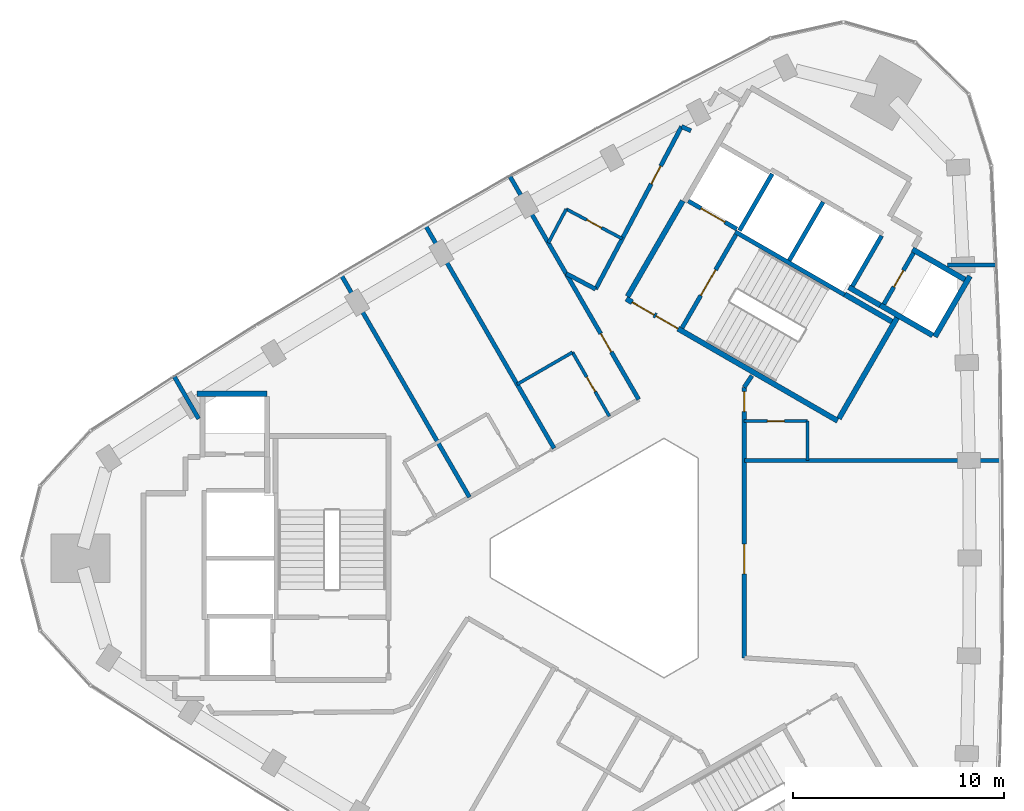
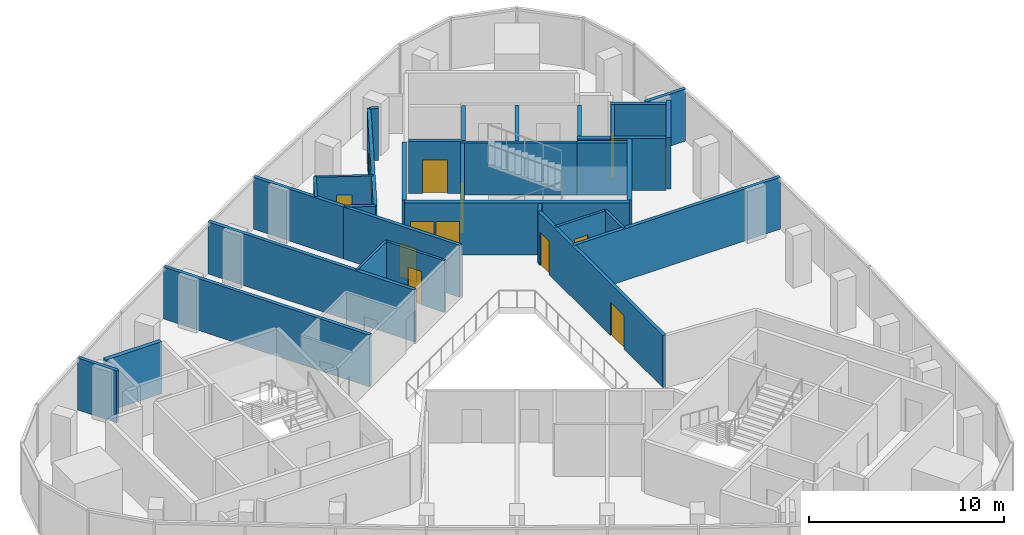
# One storey, part 9 of 11: 34 walls, 12 doors, 12 openings.
"""IFC4 building model written with IfcOpenShell, lengths in metres."""

from ifc_helpers import new_model, si_unit, direction, frame, frame_2d, origin, place, context, subcontext, project, spatial, rectangle, extrude, material, layer, layer_set, type_object, element, fill, save


model = new_model("IFC4")

# Units and contexts
model_context = context("Model", 3, precision=1e-05, world=origin(), true_north=direction((0.0, 1.0)))
body_context = subcontext(model_context, "Body", "Model", "MODEL_VIEW")
ifc_project = project(units=[si_unit("LENGTHUNIT", "METRE"), si_unit("AREAUNIT", "SQUARE_METRE"), si_unit("VOLUMEUNIT", "CUBIC_METRE"), si_unit("PLANEANGLEUNIT", "RADIAN"), si_unit("MASSUNIT", "GRAM", prefix="KILO")], contexts=[model_context])

# Site, building, storey
site_placement = place(None, origin())
site = spatial("IfcSite", under=ifc_project, at=site_placement, CompositionType="ELEMENT")
building_placement = place(site_placement, origin())
building = spatial("IfcBuilding", under=site, at=building_placement, Name="Tamra Quay Hotel Tower", CompositionType="ELEMENT")
storey_placement = place(building_placement, frame((0.0, 0.0, 225.0)))
storey = spatial("IfcBuildingStorey", under=building, at=storey_placement, Name="L56", CompositionType="ELEMENT", Elevation=225.0)

# Wall
ifc_material_1 = material(Name="Concrete M70", Category="concrete")
ifc_layer_1 = layer(ifc_material_1, 0.199951171875)
ifc_layer_set_1 = layer_set([ifc_layer_1], Name="Concrete M70 core wall 200")
wall_type_1 = type_object("IfcWallType", Name="Concrete M70 core wall 200", PredefinedType="SHEAR", material=ifc_layer_set_1)
wall_1_placement = place(storey_placement, frame((10.7431640625, 12.4599609375, 0.0), z_axis=(0.0, 0.0, 1.0), x_axis=(-0.866018848283, 0.500011354289, 0.0)))
element("IfcWall", 1, at=wall_1_placement, inside=storey, type_object=wall_type_1, Name="CW2", PredefinedType="SHEAR", context=body_context, shape_type="SweptSolid", body=[
    extrude(rectangle(XDim=5.973876953125, YDim=0.199951171875, at=frame_2d((2.98681640625, 0.0))), origin(), (0.0, 0.0, 1.0), 3.25),
])

# Wall, opening, door
wall_2_placement = place(storey_placement, frame((3.056640625, 10.89453125, 0.0), z_axis=(0.0, 0.0, 1.0), x_axis=(0.500027839223, 0.866009330205, 0.0)))
wall_2 = element("IfcWall", 2, at=wall_2_placement, inside=storey, type_object=wall_type_1, Name="CW2", PredefinedType="SHEAR", context=body_context, shape_type="SweptSolid", body=[
    extrude(rectangle(XDim=5.097900390625, YDim=0.199951171875, at=frame_2d((2.548828125, 0.0))), origin(), (0.0, 0.0, 1.0), 3.25),
])
opening_1_placement = place(wall_2_placement, frame((1.77392578125, 0.0, 0.0)))
opening_1 = element("IfcOpeningElement", 3, at=opening_1_placement, cuts=wall_2, Name="Opening FD2", PredefinedType="OPENING", context=body_context, shape_type="SweptSolid", body=[
    extrude(rectangle(XDim=1.39990234375, YDim=2.10009765625, at=frame_2d((0.699951171875, 1.050048828125))), frame((0.0, 0.10986328125, 0.0), z_axis=(0.0, -1.0, 0.0), x_axis=(1.0, 0.0, 0.0)), (0.0, 0.0, 1.0), 0.219970703125),
])
ifc_material_2 = material(Name="Core door FD2 1400x2100 RH")
door_type_1 = type_object("IfcDoorType", Name="Core door FD2 1400x2100 RH", OperationType="NOTDEFINED", PredefinedType="DOOR", material=ifc_material_2)
door_1_placement = place(opening_1_placement, origin())
door_1 = element("IfcDoor", 4, at=door_1_placement, inside=storey, type_object=door_type_1, Name="FD2", OperationType="SINGLE_SWING_RIGHT", OverallHeight=2.10009765625, OverallWidth=1.39990234375, PredefinedType="DOOR", context=body_context, shape_type="SweptSolid", body=[
    extrude(rectangle(XDim=1.39990234375, YDim=2.10009765625, at=frame_2d((0.699951171875, 1.050048828125))), frame((0.0, 0.02490234375, 0.0), z_axis=(0.0, -1.0, 0.0), x_axis=(1.0, 0.0, 0.0)), (0.0, 0.0, 1.0), 0.050048828125),
])
fill(opening_1, door_1)

# Wall
wall_3_placement = place(storey_placement, frame((8.131591796875, 14.08447265625, 0.0), z_axis=(0.0, 0.0, 1.0), x_axis=(0.500030834389, 0.86600760081, 0.0)))
element("IfcWall", 5, at=wall_3_placement, inside=storey, type_object=wall_type_1, Name="CW2", PredefinedType="SHEAR", context=body_context, shape_type="SweptSolid", body=[
    extrude(rectangle(XDim=3.197998046875, YDim=0.199951171875, at=frame_2d((1.59912109375, 0.0))), origin(), (0.0, 0.0, 1.0), 3.25),
])

# Wall, opening, door
wall_4_placement = place(storey_placement, frame((14.0078125, 14.442138671875, 0.0), z_axis=(0.0, 0.0, 1.0), x_axis=(-0.499986818241, -0.866033014143, 0.0)))
wall_4 = element("IfcWall", 6, at=wall_4_placement, inside=storey, type_object=wall_type_1, Name="CW2", PredefinedType="SHEAR", context=body_context, shape_type="SweptSolid", body=[
    extrude(rectangle(XDim=2.7978515625, YDim=0.199951171875, at=frame_2d((1.39892578125, 0.0))), origin(), (0.0, 0.0, 1.0), 3.25),
])
opening_2_placement = place(wall_4_placement, frame((0.948974609375, 0.0, 0.0)))
opening_2 = element("IfcOpeningElement", 7, at=opening_2_placement, cuts=wall_4, Name="Opening D1", PredefinedType="OPENING", context=body_context, shape_type="SweptSolid", body=[
    extrude(rectangle(XDim=0.89990234375, YDim=2.10009765625, at=frame_2d((0.449951171875, 1.050048828125))), frame((0.0, 0.10986328125, 0.0), z_axis=(0.0, -1.0, 0.0), x_axis=(1.0, 0.0, 0.0)), (0.0, 0.0, 1.0), 0.219970703125),
])
ifc_material_3 = material(Name="Core door D1 900x2100 LH")
door_type_2 = type_object("IfcDoorType", Name="Core door D1 900x2100 LH", OperationType="NOTDEFINED", PredefinedType="DOOR", material=ifc_material_3)
door_2_placement = place(opening_2_placement, origin())
door_2 = element("IfcDoor", 8, at=door_2_placement, inside=storey, type_object=door_type_2, Name="D1", OperationType="SINGLE_SWING_LEFT", OverallHeight=2.10009765625, OverallWidth=0.89990234375, PredefinedType="DOOR", context=body_context, shape_type="SweptSolid", body=[
    extrude(rectangle(XDim=0.89990234375, YDim=2.10009765625, at=frame_2d((0.449951171875, 1.050048828125))), frame((0.0, 0.02490234375, 0.0), z_axis=(0.0, -1.0, 0.0), x_axis=(1.0, 0.0, 0.0)), (0.0, 0.0, 1.0), 0.050048828125),
])
fill(opening_2, door_2)

# Walls
wall_5_placement = place(storey_placement, frame((12.50244140625, 15.2548828125, 0.0), z_axis=(0.0, 0.0, 1.0), x_axis=(-0.499965018551, -0.866045599391, 0.0)))
element("IfcWall", 9, at=wall_5_placement, inside=storey, type_object=wall_type_1, Name="CW2", PredefinedType="SHEAR", context=body_context, shape_type="SweptSolid", body=[
    extrude(rectangle(XDim=2.759033203125, YDim=0.199951171875, at=frame_2d((1.37939453125, 0.0))), origin(), (0.0, 0.0, 1.0), 3.25),
])
wall_6_placement = place(storey_placement, frame((7.324462890625, 18.1865234375, 0.0), z_axis=(0.0, 0.0, 1.0), x_axis=(-0.499967891604, -0.866043940782, 0.0)))
element("IfcWall", 10, at=wall_6_placement, inside=storey, type_object=wall_type_1, Name="CW2", PredefinedType="SHEAR", context=body_context, shape_type="SweptSolid", body=[
    extrude(rectangle(XDim=3.099853515625, YDim=0.199951171875, at=frame_2d((1.5498046875, 0.0))), origin(), (0.0, 0.0, 1.0), 3.25),
])

# Wall, opening, door
wall_7_placement = place(storey_placement, frame((5.646240234375, 15.575927734375, 0.0), z_axis=(0.0, 0.0, 1.0), x_axis=(-0.866018407898, 0.500012117035, 0.0)))
wall_7 = element("IfcWall", 11, at=wall_7_placement, inside=storey, type_object=wall_type_1, Name="CW2", PredefinedType="SHEAR", context=body_context, shape_type="SweptSolid", body=[
    extrude(rectangle(XDim=2.65087890625, YDim=0.199951171875, at=frame_2d((1.325439453125, 0.0))), origin(), (0.0, 0.0, 1.0), 3.25),
])
opening_3_placement = place(wall_7_placement, frame((0.65185546875, 0.0, 0.0)))
opening_3 = element("IfcOpeningElement", 12, at=opening_3_placement, cuts=wall_7, Name="Opening LD", PredefinedType="OPENING", context=body_context, shape_type="SweptSolid", body=[
    extrude(rectangle(XDim=1.300048828125, YDim=2.10009765625, at=frame_2d((0.64990234375, 1.050048828125))), frame((0.0, 0.10986328125, 0.0), z_axis=(0.0, -1.0, 0.0), x_axis=(1.0, 0.0, 0.0)), (0.0, 0.0, 1.0), 0.219970703125),
])
ifc_material_4 = material(Name="Landing door LD 1300 sliding to right")
door_type_3 = type_object("IfcDoorType", Name="Landing door LD 1300 sliding to right", OperationType="NOTDEFINED", PredefinedType="DOOR", material=ifc_material_4)
door_3_placement = place(opening_3_placement, origin())
door_3 = element("IfcDoor", 13, at=door_3_placement, inside=storey, type_object=door_type_3, Name="LD", OperationType="SLIDING_TO_RIGHT", OverallHeight=2.10009765625, OverallWidth=1.300048828125, PredefinedType="DOOR", context=body_context, shape_type="SweptSolid", body=[
    extrude(rectangle(XDim=1.300048828125, YDim=2.10009765625, at=frame_2d((0.64990234375, 1.050048828125))), frame((0.0, 0.02490234375, 0.0), z_axis=(0.0, -1.0, 0.0), x_axis=(1.0, 0.0, 0.0)), (0.0, 0.0, 1.0), 0.050048828125),
])
fill(opening_3, door_3)

# Wall
ifc_layer_2 = layer(ifc_material_1, 0.25)
ifc_layer_set_2 = layer_set([ifc_layer_2], Name="Concrete M70 core wall 250")
wall_type_2 = type_object("IfcWallType", Name="Concrete M70 core wall 250", PredefinedType="SHEAR", material=ifc_layer_set_2)
wall_8_placement = place(storey_placement, frame((-19.900390625, 7.77490234375, 0.0), z_axis=(0.0, 0.0, 1.0), x_axis=(1.0, 0.0, 0.0)))
element("IfcWall", 14, at=wall_8_placement, inside=storey, type_object=wall_type_2, Name="CW1", PredefinedType="SHEAR", context=body_context, shape_type="SweptSolid", body=[
    extrude(rectangle(XDim=3.31298828125, YDim=0.25, at=frame_2d((1.656494140625, 0.0))), origin(), (0.0, 0.0, 1.0), 3.25),
])

# Wall, openings, doors
wall_9_placement = place(storey_placement, frame((10.419921875, 6.497802734375, 0.0), z_axis=(0.0, 0.0, 1.0), x_axis=(-0.866021906294, 0.500006057782, 0.0)))
wall_9 = element("IfcWall", 15, at=wall_9_placement, inside=storey, type_object=wall_type_2, Name="CW1", PredefinedType="SHEAR", context=body_context, shape_type="SweptSolid", body=[
    extrude(rectangle(XDim=11.550048828125, YDim=0.25, at=frame_2d((5.77490234375, 0.0))), origin(), (0.0, 0.0, 1.0), 3.25),
])
opening_4_placement = place(wall_9_placement, frame((10.02490234375, 0.0, 0.0)))
opening_4 = element("IfcOpeningElement", 16, at=opening_4_placement, cuts=wall_9, Name="Opening FD1", PredefinedType="OPENING", context=body_context, shape_type="SweptSolid", body=[
    extrude(rectangle(XDim=1.199951171875, YDim=2.10009765625, at=frame_2d((0.60009765625, 1.050048828125))), frame((0.0, 0.135009765625, 0.0), z_axis=(0.0, -1.0, 0.0), x_axis=(1.0, 0.0, 0.0)), (0.0, 0.0, 1.0), 0.27001953125),
])
opening_5_placement = place(wall_9_placement, frame((8.724853515625, 0.0, 0.0)))
opening_5 = element("IfcOpeningElement", 17, at=opening_5_placement, cuts=wall_9, Name="Opening FD1", PredefinedType="OPENING", context=body_context, shape_type="SweptSolid", body=[
    extrude(rectangle(XDim=1.199951171875, YDim=2.10009765625, at=frame_2d((0.60009765625, 1.050048828125))), frame((0.0, 0.135009765625, 0.0), z_axis=(0.0, -1.0, 0.0), x_axis=(1.0, 0.0, 0.0)), (0.0, 0.0, 1.0), 0.27001953125),
])
ifc_material_5 = material(Name="Core door FD1 1200x2100 LH")
door_type_4 = type_object("IfcDoorType", Name="Core door FD1 1200x2100 LH", OperationType="NOTDEFINED", PredefinedType="DOOR", material=ifc_material_5)
door_4_placement = place(opening_4_placement, origin())
door_4 = element("IfcDoor", 18, at=door_4_placement, inside=storey, type_object=door_type_4, Name="FD1", OperationType="SINGLE_SWING_LEFT", OverallHeight=2.10009765625, OverallWidth=1.199951171875, PredefinedType="DOOR", context=body_context, shape_type="SweptSolid", body=[
    extrude(rectangle(XDim=1.199951171875, YDim=2.10009765625, at=frame_2d((0.60009765625, 1.050048828125))), frame((0.0, 0.02490234375, 0.0), z_axis=(0.0, -1.0, 0.0), x_axis=(1.0, 0.0, 0.0)), (0.0, 0.0, 1.0), 0.050048828125),
])
fill(opening_4, door_4)
ifc_material_6 = material(Name="Core door FD1 1200x2100 RH")
door_type_5 = type_object("IfcDoorType", Name="Core door FD1 1200x2100 RH", OperationType="NOTDEFINED", PredefinedType="DOOR", material=ifc_material_6)
door_5_placement = place(opening_5_placement, origin())
door_5 = element("IfcDoor", 19, at=door_5_placement, inside=storey, type_object=door_type_5, Name="FD1", OperationType="SINGLE_SWING_RIGHT", OverallHeight=2.10009765625, OverallWidth=1.199951171875, PredefinedType="DOOR", context=body_context, shape_type="SweptSolid", body=[
    extrude(rectangle(XDim=1.199951171875, YDim=2.10009765625, at=frame_2d((0.60009765625, 1.050048828125))), frame((0.0, 0.02490234375, 0.0), z_axis=(0.0, -1.0, 0.0), x_axis=(1.0, 0.0, 0.0)), (0.0, 0.0, 1.0), 0.050048828125),
])
fill(opening_5, door_5)

# Walls
wall_10_placement = place(storey_placement, frame((0.47998046875, 12.38134765625, 0.0), z_axis=(0.0, 0.0, 1.0), x_axis=(0.49999885962, 0.866026062182, 0.0)))
element("IfcWall", 20, at=wall_10_placement, inside=storey, type_object=wall_type_2, Name="CW1", PredefinedType="SHEAR", context=body_context, shape_type="SweptSolid", body=[
    extrude(rectangle(XDim=5.224609375, YDim=0.25, at=frame_2d((2.6123046875, 0.0))), origin(), (0.0, 0.0, 1.0), 3.25),
])
wall_11_placement = place(storey_placement, frame((13.237548828125, 11.3779296875, 0.0), z_axis=(0.0, 0.0, 1.0), x_axis=(-0.500008851346, -0.866020293397, 0.0)))
element("IfcWall", 21, at=wall_11_placement, inside=storey, type_object=wall_type_2, Name="CW1", PredefinedType="SHEAR", context=body_context, shape_type="SweptSolid", body=[
    extrude(rectangle(XDim=5.509765625, YDim=0.25, at=frame_2d((2.7548828125, 0.0))), origin(), (0.0, 0.0, 1.0), 3.25),
])
wall_12_placement = place(storey_placement, frame((16.68359375, 13.3466796875, 0.0), z_axis=(0.0, 0.0, 1.0), x_axis=(-0.499998874531, -0.866026053573, 0.0)))
element("IfcWall", 22, at=wall_12_placement, inside=storey, type_object=wall_type_2, Name="CW1", PredefinedType="SHEAR", context=body_context, shape_type="SweptSolid", body=[
    extrude(rectangle(XDim=3.31298828125, YDim=0.25, at=frame_2d((1.656494140625, 0.0))), origin(), (0.0, 0.0, 1.0), 3.25),
])
wall_13_placement = place(storey_placement, frame((14.91845703125, 10.540283203125, 0.0), z_axis=(0.0, 0.0, 1.0), x_axis=(-0.866063538972, 0.499933942099, 0.0)))
element("IfcWall", 23, at=wall_13_placement, inside=storey, type_object=wall_type_2, Name="CW1", PredefinedType="SHEAR", context=body_context, shape_type="SweptSolid", body=[
    extrude(rectangle(XDim=2.86474609375, YDim=0.25, at=frame_2d((1.432373046875, 0.0))), origin(), (0.0, 0.0, 1.0), 3.25),
])
wall_14_placement = place(storey_placement, frame((13.962646484375, 14.61376953125, 0.0), z_axis=(0.0, 0.0, 1.0), x_axis=(0.866042235819, -0.499970844928, 0.0)))
element("IfcWall", 24, at=wall_14_placement, inside=storey, type_object=wall_type_2, Name="CW1", PredefinedType="SHEAR", context=body_context, shape_type="SweptSolid", body=[
    extrude(rectangle(XDim=2.864501953125, YDim=0.25, at=frame_2d((1.43212890625, 0.0))), origin(), (0.0, 0.0, 1.0), 3.25),
])
wall_15_placement = place(storey_placement, frame((10.756591796875, 12.481201171875, 0.0), z_axis=(0.0, 0.0, 1.0), x_axis=(0.866022940537, -0.500004266446, 0.0)))
element("IfcWall", 25, at=wall_15_placement, inside=storey, type_object=wall_type_2, Name="CW1", PredefinedType="SHEAR", context=body_context, shape_type="SweptSolid", body=[
    extrude(rectangle(XDim=2.57470703125, YDim=0.25, at=frame_2d((1.287353515625, 0.0))), origin(), (0.0, 0.0, 1.0), 3.25),
])
wall_16_placement = place(storey_placement, frame((12.4326171875, 11.9638671875, 0.0), z_axis=(0.0, 0.0, 1.0), x_axis=(-0.866038183914, 0.499977863513, 0.0)))
element("IfcWall", 26, at=wall_16_placement, inside=storey, type_object=wall_type_2, Name="CW1", PredefinedType="SHEAR", context=body_context, shape_type="SweptSolid", body=[
    extrude(rectangle(XDim=1.7099609375, YDim=0.25, at=frame_2d((0.85498046875, 0.0))), origin(), (0.0, 0.0, 1.0), 3.25),
])

# Wall, opening, door
ifc_material_7 = material(Name="Partition corridor wall")
ifc_layer_3 = layer(ifc_material_7, 0.199951171875)
ifc_layer_set_3 = layer_set([ifc_layer_3], Name="Partition corridor wall")
wall_type_3 = type_object("IfcWallType", Name="Partition corridor wall", PredefinedType="PARTITIONING", material=ifc_layer_set_3)
wall_17_placement = place(storey_placement, frame((-2.429931640625, 13.458984375, 0.0), z_axis=(0.0, 0.0, 1.0), x_axis=(0.499957265187, -0.866050075334, 0.0)))
wall_17 = element("IfcWall", 27, at=wall_17_placement, inside=storey, type_object=wall_type_3, Name="W-C", PredefinedType="PARTITIONING", context=body_context, shape_type="SweptSolid", body=[
    extrude(rectangle(XDim=6.8701171875, YDim=0.199951171875, at=frame_2d((3.43505859375, 0.0))), origin(), (0.0, 0.0, 1.0), 3.25),
])
opening_6_placement = place(wall_17_placement, frame((3.27490234375, 0.0, 0.0)))
opening_6 = element("IfcOpeningElement", 28, at=opening_6_placement, cuts=wall_17, Name="Opening L56-D003", PredefinedType="OPENING", context=body_context, shape_type="SweptSolid", body=[
    extrude(rectangle(XDim=1.0, YDim=2.10009765625, at=frame_2d((0.5, 1.050048828125))), frame((0.0, 0.10986328125, 0.0), z_axis=(0.0, -1.0, 0.0), x_axis=(1.0, 0.0, 0.0)), (0.0, 0.0, 1.0), 0.219970703125),
])
ifc_material_8 = material(Name="Door guest room 1000x2100")
door_type_6 = type_object("IfcDoorType", Name="Door guest room 1000x2100", OperationType="NOTDEFINED", PredefinedType="DOOR", material=ifc_material_8)
door_6_placement = place(opening_6_placement, frame((1.0, 0.0, 0.0), z_axis=(0.0, 0.0, 1.0), x_axis=(-1.0, 0.0, 0.0)))
door_6 = element("IfcDoor", 29, at=door_6_placement, inside=storey, type_object=door_type_6, Name="L56-D003", OperationType="SINGLE_SWING_LEFT", OverallHeight=2.10009765625, OverallWidth=1.0, PredefinedType="DOOR", context=body_context, shape_type="SweptSolid", body=[
    extrude(rectangle(XDim=1.0, YDim=2.10009765625, at=frame_2d((0.5, 1.050048828125))), frame((0.0, 0.02490234375, 0.0), z_axis=(0.0, -1.0, 0.0), x_axis=(1.0, 0.0, 0.0)), (0.0, 0.0, 1.0), 0.050048828125),
])
fill(opening_6, door_6)

# Wall
wall_18_placement = place(storey_placement, frame((-2.425048828125, 13.465087890625, 0.0), z_axis=(0.0, 0.0, 1.0), x_axis=(0.883874806572, -0.467723557572, 0.0)))
element("IfcWall", 30, at=wall_18_placement, inside=storey, type_object=wall_type_3, Name="W-C", PredefinedType="PARTITIONING", context=body_context, shape_type="SweptSolid", body=[
    extrude(rectangle(XDim=1.57177734375, YDim=0.199951171875, at=frame_2d((0.785888671875, 0.0))), origin(), (0.0, 0.0, 1.0), 3.25),
])

# Wall, opening, door
wall_19_placement = place(storey_placement, frame((-1.035400390625, 12.729736328125, 0.0), z_axis=(0.0, 0.0, 1.0), x_axis=(0.46738248691, 0.884055208078, 0.0)))
wall_19 = element("IfcWall", 31, at=wall_19_placement, inside=storey, type_object=wall_type_3, Name="W-C", PredefinedType="PARTITIONING", context=body_context, shape_type="SweptSolid", body=[
    extrude(rectangle(XDim=8.70458984375, YDim=0.199951171875, at=frame_2d((4.352294921875, 0.0))), origin(), (0.0, 0.0, 1.0), 3.25),
])
opening_7_placement = place(wall_19_placement, frame((5.637939453125, 0.0, 0.0)))
opening_7 = element("IfcOpeningElement", 32, at=opening_7_placement, cuts=wall_19, Name="Opening L56-D001", PredefinedType="OPENING", context=body_context, shape_type="SweptSolid", body=[
    extrude(rectangle(XDim=0.949951171875, YDim=2.10009765625, at=frame_2d((0.47509765625, 1.050048828125))), frame((0.0, 0.10986328125, 0.0), z_axis=(0.0, -1.0, 0.0), x_axis=(1.0, 0.0, 0.0)), (0.0, 0.0, 1.0), 0.219970703125),
])
ifc_material_9 = material(Name="Door guest room 950x2100")
door_type_7 = type_object("IfcDoorType", Name="Door guest room 950x2100", OperationType="NOTDEFINED", PredefinedType="DOOR", material=ifc_material_9)
door_7_placement = place(opening_7_placement, frame((0.949951171875, 0.0, 0.0), z_axis=(0.0, 0.0, 1.0), x_axis=(-1.0, 0.0, 0.0)))
door_7 = element("IfcDoor", 33, at=door_7_placement, inside=storey, type_object=door_type_7, Name="L56-D001", OperationType="SINGLE_SWING_LEFT", OverallHeight=2.10009765625, OverallWidth=0.949951171875, PredefinedType="DOOR", context=body_context, shape_type="SweptSolid", body=[
    extrude(rectangle(XDim=0.949951171875, YDim=2.10009765625, at=frame_2d((0.47509765625, 1.050048828125))), frame((0.0, 0.02490234375, 0.0), z_axis=(0.0, -1.0, 0.0), x_axis=(1.0, 0.0, 0.0)), (0.0, 0.0, 1.0), 0.050048828125),
])
fill(opening_7, door_7)

# Wall
wall_20_placement = place(storey_placement, frame((3.033935546875, 20.426025390625, 0.0), z_axis=(0.0, 0.0, 1.0), x_axis=(0.907930035436, -0.41912176125, 0.0)))
element("IfcWall", 34, at=wall_20_placement, inside=storey, type_object=wall_type_3, Name="W-C", PredefinedType="PARTITIONING", context=body_context, shape_type="SweptSolid", body=[
    extrude(rectangle(XDim=0.487060546875, YDim=0.199951171875, at=frame_2d((0.24365234375, 0.0))), origin(), (0.0, 0.0, 1.0), 3.25),
])

# Wall, openings, doors
wall_21_placement = place(storey_placement, frame((6.0, -4.720947265625, 0.0), z_axis=(0.0, 0.0, 1.0), x_axis=(0.0, 1.0, 0.0)))
wall_21 = element("IfcWall", 35, at=wall_21_placement, inside=storey, type_object=wall_type_3, Name="W-C", PredefinedType="PARTITIONING", context=body_context, shape_type="SweptSolid", body=[
    extrude(rectangle(XDim=12.803955078125, YDim=0.199951171875, at=frame_2d((6.40185546875, 0.0))), origin(), (0.0, 0.0, 1.0), 3.25),
])
opening_8_placement = place(wall_21_placement, frame((3.97900390625, 0.0, 0.0)))
opening_8 = element("IfcOpeningElement", 36, at=opening_8_placement, cuts=wall_21, Name="Opening L56-D016", PredefinedType="OPENING", context=body_context, shape_type="SweptSolid", body=[
    extrude(rectangle(XDim=1.39990234375, YDim=2.10009765625, at=frame_2d((0.699951171875, 1.050048828125))), frame((0.0, 0.10986328125, 0.0), z_axis=(0.0, -1.0, 0.0), x_axis=(1.0, 0.0, 0.0)), (0.0, 0.0, 1.0), 0.219970703125),
])
opening_9_placement = place(wall_21_placement, frame((11.654052734375, 0.0, 0.0)))
opening_9 = element("IfcOpeningElement", 37, at=opening_9_placement, cuts=wall_21, Name="Opening L56-D017", PredefinedType="OPENING", context=body_context, shape_type="SweptSolid", body=[
    extrude(rectangle(XDim=0.949951171875, YDim=2.10009765625, at=frame_2d((0.47509765625, 1.050048828125))), frame((0.0, 0.10986328125, 0.0), z_axis=(0.0, -1.0, 0.0), x_axis=(1.0, 0.0, 0.0)), (0.0, 0.0, 1.0), 0.219970703125),
])
ifc_material_10 = material(Name="Door double leaf 1400x2100")
door_type_8 = type_object("IfcDoorType", Name="Door double leaf 1400x2100", OperationType="DOUBLE_DOOR_SINGLE_SWING", PredefinedType="DOOR", material=ifc_material_10)
door_8_placement = place(opening_8_placement, frame((1.39990234375, 0.0, 0.0), z_axis=(0.0, 0.0, 1.0), x_axis=(-1.0, 0.0, 0.0)))
door_8 = element("IfcDoor", 38, at=door_8_placement, inside=storey, type_object=door_type_8, Name="L56-D016", OperationType="DOUBLE_DOOR_SINGLE_SWING", OverallHeight=2.10009765625, OverallWidth=1.39990234375, PredefinedType="DOOR", context=body_context, shape_type="SweptSolid", body=[
    extrude(rectangle(XDim=1.39990234375, YDim=2.10009765625, at=frame_2d((0.699951171875, 1.050048828125))), frame((0.0, 0.02490234375, 0.0), z_axis=(0.0, -1.0, 0.0), x_axis=(1.0, 0.0, 0.0)), (0.0, 0.0, 1.0), 0.050048828125),
])
fill(opening_8, door_8)
door_9_placement = place(opening_9_placement, frame((0.949951171875, 0.0, 0.0), z_axis=(0.0, 0.0, 1.0), x_axis=(-1.0, 0.0, 0.0)))
door_9 = element("IfcDoor", 39, at=door_9_placement, inside=storey, type_object=door_type_7, Name="L56-D017", OperationType="SINGLE_SWING_LEFT", OverallHeight=2.10009765625, OverallWidth=0.949951171875, PredefinedType="DOOR", context=body_context, shape_type="SweptSolid", body=[
    extrude(rectangle(XDim=0.949951171875, YDim=2.10009765625, at=frame_2d((0.47509765625, 1.050048828125))), frame((0.0, 0.02490234375, 0.0), z_axis=(0.0, -1.0, 0.0), x_axis=(1.0, 0.0, 0.0)), (0.0, 0.0, 1.0), 0.050048828125),
])
fill(opening_9, door_9)

# Walls
wall_22_placement = place(storey_placement, frame((6.0, 8.0830078125, 0.0), z_axis=(0.0, 0.0, 1.0), x_axis=(0.553665201502, 0.832739361773, 0.0)))
element("IfcWall", 40, at=wall_22_placement, inside=storey, type_object=wall_type_3, Name="W-C", PredefinedType="PARTITIONING", context=body_context, shape_type="SweptSolid", body=[
    extrude(rectangle(XDim=0.653564453125, YDim=0.199951171875, at=frame_2d((0.32666015625, 0.0))), origin(), (0.0, 0.0, 1.0), 3.25),
])
ifc_material_11 = material(Name="Partition en-suite wall")
ifc_layer_4 = layer(ifc_material_11, 0.14990234375)
ifc_layer_set_4 = layer_set([ifc_layer_4], Name="Partition en-suite wall")
wall_type_4 = type_object("IfcWallType", Name="Partition en-suite wall", PredefinedType="PARTITIONING", material=ifc_layer_set_4)
wall_23_placement = place(storey_placement, frame((-4.75, 8.22705078125, 0.0), z_axis=(0.0, 0.0, 1.0), x_axis=(0.865893821749, 0.500227837548, 0.0)))
element("IfcWall", 41, at=wall_23_placement, inside=storey, type_object=wall_type_4, Name="W-E", PredefinedType="PARTITIONING", context=body_context, shape_type="SweptSolid", body=[
    extrude(rectangle(XDim=3.0244140625, YDim=0.14990234375, at=frame_2d((1.51220703125, 0.0))), origin(), (0.0, 0.0, 1.0), 3.25),
])
wall_24_placement = place(storey_placement, frame((-3.27197265625, 14.91796875, 0.0), z_axis=(0.0, 0.0, 1.0), x_axis=(0.467162796658, 0.884171319043, 0.0)))
element("IfcWall", 42, at=wall_24_placement, inside=storey, type_object=wall_type_4, Name="W-E", PredefinedType="PARTITIONING", context=body_context, shape_type="SweptSolid", body=[
    extrude(rectangle(XDim=1.810791015625, YDim=0.14990234375, at=frame_2d((0.9052734375, 0.0))), origin(), (0.0, 0.0, 1.0), 3.25),
])

# Wall, opening, door
wall_25_placement = place(storey_placement, frame((-2.426025390625, 16.51904296875, 0.0), z_axis=(0.0, 0.0, 1.0), x_axis=(0.884056991815, -0.467379112952, 0.0)))
wall_25 = element("IfcWall", 43, at=wall_25_placement, inside=storey, type_object=wall_type_4, Name="W-E", PredefinedType="PARTITIONING", context=body_context, shape_type="SweptSolid", body=[
    extrude(rectangle(XDim=3.0, YDim=0.14990234375, at=frame_2d((1.5, 0.0))), origin(), (0.0, 0.0, 1.0), 3.25),
])
opening_10_placement = place(wall_25_placement, frame((1.10009765625, 0.0, 0.0)))
opening_10 = element("IfcOpeningElement", 44, at=opening_10_placement, cuts=wall_25, Name="Opening L56-D002", PredefinedType="OPENING", context=body_context, shape_type="SweptSolid", body=[
    extrude(rectangle(XDim=0.800048828125, YDim=2.10009765625, at=frame_2d((0.39990234375, 1.050048828125))), frame((0.0, 0.0849609375, 0.0), z_axis=(0.0, -1.0, 0.0), x_axis=(1.0, 0.0, 0.0)), (0.0, 0.0, 1.0), 0.169921875),
])
ifc_material_12 = material(Name="Door en-suite 800x2100")
door_type_9 = type_object("IfcDoorType", Name="Door en-suite 800x2100", OperationType="NOTDEFINED", PredefinedType="DOOR", material=ifc_material_12)
door_10_placement = place(opening_10_placement, origin())
door_10 = element("IfcDoor", 45, at=door_10_placement, inside=storey, type_object=door_type_9, Name="L56-D002", OperationType="SINGLE_SWING_LEFT", OverallHeight=2.10009765625, OverallWidth=0.800048828125, PredefinedType="DOOR", context=body_context, shape_type="SweptSolid", body=[
    extrude(rectangle(XDim=0.800048828125, YDim=2.10009765625, at=frame_2d((0.39990234375, 1.050048828125))), frame((0.0, 0.02490234375, 0.0), z_axis=(0.0, -1.0, 0.0), x_axis=(1.0, 0.0, 0.0)), (0.0, 0.0, 1.0), 0.050048828125),
])
fill(opening_10, door_10)

wall_26_placement = place(storey_placement, frame((-2.131103515625, 9.739990234375, 0.0), z_axis=(0.0, 0.0, 1.0), x_axis=(0.500010275428, -0.866019471182, 0.0)))
wall_26 = element("IfcWall", 46, at=wall_26_placement, inside=storey, type_object=wall_type_4, Name="W-E", PredefinedType="PARTITIONING", context=body_context, shape_type="SweptSolid", body=[
    extrude(rectangle(XDim=3.5, YDim=0.14990234375, at=frame_2d((1.75, 0.0))), origin(), (0.0, 0.0, 1.0), 3.25),
])
opening_11_placement = place(wall_26_placement, frame((1.350341796875, 0.0, 0.0)))
opening_11 = element("IfcOpeningElement", 47, at=opening_11_placement, cuts=wall_26, Name="Opening L56-D004", PredefinedType="OPENING", context=body_context, shape_type="SweptSolid", body=[
    extrude(rectangle(XDim=0.800048828125, YDim=2.10009765625, at=frame_2d((0.39990234375, 1.050048828125))), frame((0.0, 0.0849609375, 0.0), z_axis=(0.0, -1.0, 0.0), x_axis=(1.0, 0.0, 0.0)), (0.0, 0.0, 1.0), 0.169921875),
])
door_11_placement = place(opening_11_placement, frame((0.800048828125, 0.0, 0.0), z_axis=(0.0, 0.0, 1.0), x_axis=(-1.0, 0.0, 0.0)))
door_11 = element("IfcDoor", 48, at=door_11_placement, inside=storey, type_object=door_type_9, Name="L56-D004", OperationType="SINGLE_SWING_LEFT", OverallHeight=2.10009765625, OverallWidth=0.800048828125, PredefinedType="DOOR", context=body_context, shape_type="SweptSolid", body=[
    extrude(rectangle(XDim=0.800048828125, YDim=2.10009765625, at=frame_2d((0.39990234375, 1.050048828125))), frame((0.0, 0.02490234375, 0.0), z_axis=(0.0, -1.0, 0.0), x_axis=(1.0, 0.0, 0.0)), (0.0, 0.0, 1.0), 0.050048828125),
])
fill(opening_11, door_11)

wall_27_placement = place(storey_placement, frame((6.0, 6.48291015625, 0.0), z_axis=(0.0, 0.0, 1.0), x_axis=(1.0, 0.0, 0.0)))
wall_27 = element("IfcWall", 49, at=wall_27_placement, inside=storey, type_object=wall_type_4, Name="W-E", PredefinedType="PARTITIONING", context=body_context, shape_type="SweptSolid", body=[
    extrude(rectangle(XDim=3.0, YDim=0.14990234375, at=frame_2d((1.5, 0.0))), origin(), (0.0, 0.0, 1.0), 3.25),
])
opening_12_placement = place(wall_27_placement, frame((1.10009765625, 0.0, 0.0)))
opening_12 = element("IfcOpeningElement", 50, at=opening_12_placement, cuts=wall_27, Name="Opening L56-D018", PredefinedType="OPENING", context=body_context, shape_type="SweptSolid", body=[
    extrude(rectangle(XDim=0.800048828125, YDim=2.10009765625, at=frame_2d((0.39990234375, 1.050048828125))), frame((0.0, 0.0849609375, 0.0), z_axis=(0.0, -1.0, 0.0), x_axis=(1.0, 0.0, 0.0)), (0.0, 0.0, 1.0), 0.169921875),
])
door_12_placement = place(opening_12_placement, origin())
door_12 = element("IfcDoor", 51, at=door_12_placement, inside=storey, type_object=door_type_9, Name="L56-D018", OperationType="SINGLE_SWING_LEFT", OverallHeight=2.10009765625, OverallWidth=0.800048828125, PredefinedType="DOOR", context=body_context, shape_type="SweptSolid", body=[
    extrude(rectangle(XDim=0.800048828125, YDim=2.10009765625, at=frame_2d((0.39990234375, 1.050048828125))), frame((0.0, 0.02490234375, 0.0), z_axis=(0.0, -1.0, 0.0), x_axis=(1.0, 0.0, 0.0)), (0.0, 0.0, 1.0), 0.050048828125),
])
fill(opening_12, door_12)

# Walls
wall_28_placement = place(storey_placement, frame((9.0, 4.625, 0.0), z_axis=(0.0, 0.0, 1.0), x_axis=(0.0, 1.0, 0.0)))
element("IfcWall", 52, at=wall_28_placement, inside=storey, type_object=wall_type_4, Name="W-E", PredefinedType="PARTITIONING", context=body_context, shape_type="SweptSolid", body=[
    extrude(rectangle(XDim=1.85791015625, YDim=0.14990234375, at=frame_2d((0.928955078125, 0.0))), origin(), (0.0, 0.0, 1.0), 3.25),
])
ifc_material_13 = material(Name="Partition party wall")
ifc_layer_5 = layer(ifc_material_13, 0.199951171875)
ifc_layer_set_5 = layer_set([ifc_layer_5], Name="Partition party wall")
wall_type_5 = type_object("IfcWallType", Name="Partition party wall", PredefinedType="PARTITIONING", material=ifc_layer_set_5)
wall_29_placement = place(storey_placement, frame((-20.9794921875, 8.594970703125, 0.0), z_axis=(0.0, 0.0, 1.0), x_axis=(0.499950711303, -0.866053858757, 0.0)))
element("IfcWall", 53, at=wall_29_placement, inside=storey, type_object=wall_type_5, Name="W-P", PredefinedType="PARTITIONING", context=body_context, shape_type="SweptSolid", body=[
    extrude(rectangle(XDim=2.314697265625, YDim=0.199951171875, at=frame_2d((1.1572265625, 0.0))), origin(), (0.0, 0.0, 1.0), 3.25),
])
wall_30_placement = place(storey_placement, frame((-13.107421875, 13.452880859375, 0.0), z_axis=(0.0, 0.0, 1.0), x_axis=(0.500037611077, -0.86600368793, 0.0)))
element("IfcWall", 54, at=wall_30_placement, inside=storey, type_object=wall_type_5, Name="W-P", PredefinedType="PARTITIONING", context=body_context, shape_type="SweptSolid", body=[
    extrude(rectangle(XDim=12.2041015625, YDim=0.199951171875, at=frame_2d((6.10205078125, 0.0))), origin(), (0.0, 0.0, 1.0), 3.25),
])
wall_31_placement = place(storey_placement, frame((-9.119384765625, 15.794677734375, 0.0), z_axis=(0.0, 0.0, 1.0), x_axis=(0.50001601051, -0.866016159915, 0.0)))
element("IfcWall", 55, at=wall_31_placement, inside=storey, type_object=wall_type_5, Name="W-P", PredefinedType="PARTITIONING", context=body_context, shape_type="SweptSolid", body=[
    extrude(rectangle(XDim=12.23828125, YDim=0.199951171875, at=frame_2d((6.119140625, 0.0))), origin(), (0.0, 0.0, 1.0), 3.25),
])
wall_32_placement = place(storey_placement, frame((-5.0966796875, 18.078125, 0.0), z_axis=(0.0, 0.0, 1.0), x_axis=(0.50004820116, -0.865997573043, 0.0)))
element("IfcWall", 56, at=wall_32_placement, inside=storey, type_object=wall_type_5, Name="W-P", PredefinedType="PARTITIONING", context=body_context, shape_type="SweptSolid", body=[
    extrude(rectangle(XDim=5.31982421875, YDim=0.199951171875, at=frame_2d((2.659912109375, 0.0))), origin(), (0.0, 0.0, 1.0), 3.25),
])
wall_33_placement = place(storey_placement, frame((6.0009765625, 4.625, 0.0), z_axis=(0.0, 0.0, 1.0), x_axis=(1.0, 0.0, 0.0)))
element("IfcWall", 57, at=wall_33_placement, inside=storey, type_object=wall_type_5, Name="W-P", PredefinedType="PARTITIONING", context=body_context, shape_type="SweptSolid", body=[
    extrude(rectangle(XDim=12.203369140625, YDim=0.199951171875, at=frame_2d((6.1015625, 0.0))), origin(), (0.0, 0.0, 1.0), 3.25),
])
wall_34_placement = place(storey_placement, frame((15.61767578125, 13.8720703125, 0.0), z_axis=(0.0, 0.0, 1.0), x_axis=(1.0, 0.0, 0.0)))
element("IfcWall", 58, at=wall_34_placement, inside=storey, type_object=wall_type_5, Name="W-P", PredefinedType="PARTITIONING", context=body_context, shape_type="SweptSolid", body=[
    extrude(rectangle(XDim=2.315673828125, YDim=0.199951171875, at=frame_2d((1.15771484375, 0.0))), origin(), (0.0, 0.0, 1.0), 3.25),
])

save(model, "model.ifc")
